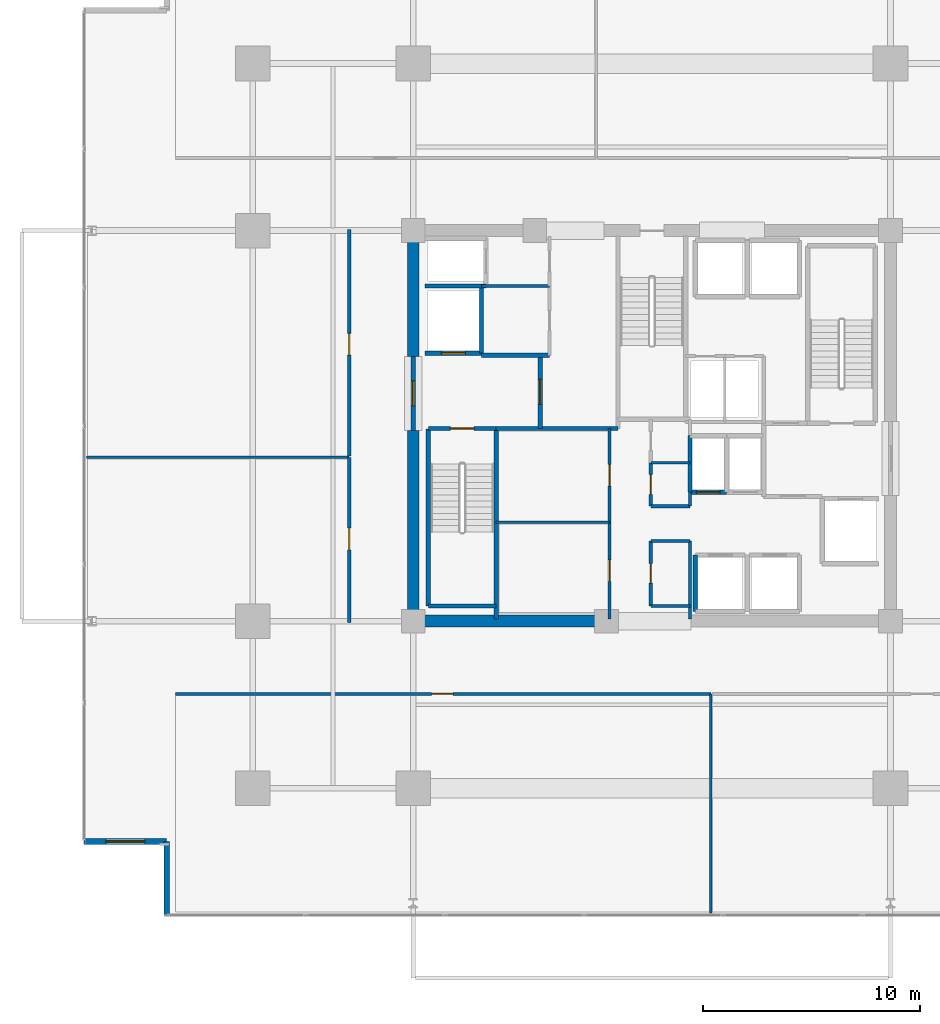
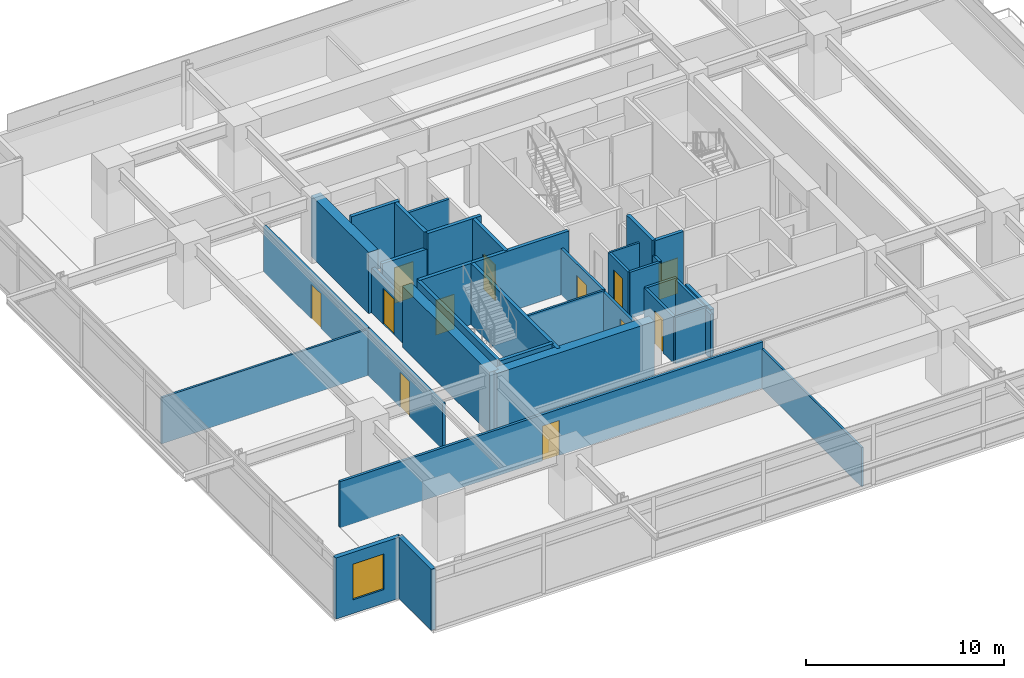
# One storey, part 16 of 24: 36 walls, 12 doors, 1 window, 13 openings.
"""IFC4 building model written with IfcOpenShell, lengths in metres."""

from ifc_helpers import new_model, si_unit, direction, frame, frame_2d, origin, place, context, subcontext, project, spatial, rectangle, extrude, material, layer, layer_set, type_object, element, fill, save


model = new_model("IFC4")

# Units and contexts
model_context = context("Model", 3, precision=1e-05, world=origin(), true_north=direction((0.0, 1.0)))
body_context = subcontext(model_context, "Body", "Model", "MODEL_VIEW")
ifc_project = project(units=[si_unit("LENGTHUNIT", "METRE"), si_unit("AREAUNIT", "SQUARE_METRE"), si_unit("VOLUMEUNIT", "CUBIC_METRE"), si_unit("PLANEANGLEUNIT", "RADIAN"), si_unit("MASSUNIT", "GRAM", prefix="KILO")], contexts=[model_context])

# Site, building, storey
site_placement = place(None, origin())
site = spatial("IfcSite", under=ifc_project, at=site_placement, CompositionType="ELEMENT")
building_placement = place(site_placement, origin())
building = spatial("IfcBuilding", under=site, at=building_placement, Name="Kovane Verandah Tower", CompositionType="ELEMENT")
storey_placement = place(building_placement, frame((0.0, 0.0, 132.39990234375)))
storey = spatial("IfcBuildingStorey", under=building, at=storey_placement, Name="L30", CompositionType="ELEMENT", Elevation=132.39990234375)

# Walls
ifc_material_1 = material(Name="Fire-Rated Gypsum Stud Partition", Category="gypsum")
ifc_layer_1 = layer(ifc_material_1, 0.14990234375)
ifc_layer_set_1 = layer_set([ifc_layer_1], Name="Fire-Rated Gypsum Stud Partition")
wall_type_1 = type_object("IfcWallType", Name="WL-COR-150", PredefinedType="PARTITIONING", material=ifc_layer_set_1)
for number, where, z_axis, x_axis, name in (
    (1, (39.949951171875, 19.199951171875, 0.0), (0.0, 0.0, 1.0), (1.0, 0.0, 0.0), "L30 Central Core Strip South Wall"),
    (2, (39.949951171875, 22.199951171875, 0.0), (0.0, 0.0, 1.0), (1.0, 0.0, 0.0), "L30 Core Cross-Passage South Wall"),
    (3, (39.949951171875, 23.800048828125, 0.0), (0.0, 0.0, 1.0), (1.0, 0.0, 0.0), "L30 Core Cross-Passage North Wall"),
):
    element("IfcWall", number, at=place(storey_placement, frame(where, z_axis=z_axis, x_axis=x_axis)), inside=storey, type_object=wall_type_1, Name=name, PredefinedType="PARTITIONING", context=body_context, shape_type="SweptSolid", body=[
        extrude(rectangle(XDim=1.81005859375, YDim=0.14990234375, at=frame_2d((0.905029296875, 0.0))), origin(), (0.0, 0.0, 1.0), 2.85009765625),
    ])
wall_1_placement = place(storey_placement, frame((41.760009765625, 18.60009765625, 0.0), z_axis=(0.0, 0.0, 1.0), x_axis=(0.0, 1.0, 0.0)))
element("IfcWall", 4, at=wall_1_placement, inside=storey, type_object=wall_type_1, Name="L30 Central Core Strip Lower East Wall", PredefinedType="PARTITIONING", context=body_context, shape_type="SweptSolid", body=[
    extrude(rectangle(XDim=3.599853515625, YDim=0.14990234375, at=frame_2d((1.7998046875, 0.0))), origin(), (0.0, 0.0, 1.0), 2.755126953125),
])
wall_2_placement = place(storey_placement, frame((41.760009765625, 23.800048828125, 0.0), z_axis=(0.0, 0.0, 1.0), x_axis=(0.0, 1.0, 0.0)))
element("IfcWall", 5, at=wall_2_placement, inside=storey, type_object=wall_type_1, Name="L30 Central Core Strip Middle East Wall", PredefinedType="PARTITIONING", context=body_context, shape_type="SweptSolid", body=[
    extrude(rectangle(XDim=0.64990234375, YDim=0.14990234375, at=frame_2d((0.324951171875, 0.0))), origin(), (0.0, 0.0, 1.0), 2.85009765625),
])

# Wall, opening, door
wall_3_placement = place(storey_placement, frame((39.949951171875, 19.199951171875, 0.0), z_axis=(0.0, 0.0, 1.0), x_axis=(0.0, 1.0, 0.0)))
wall_3 = element("IfcWall", 6, at=wall_3_placement, inside=storey, type_object=wall_type_1, Name="L30 Male Toilet Partition", PredefinedType="PARTITIONING", context=body_context, shape_type="SweptSolid", body=[
    extrude(rectangle(XDim=3.0, YDim=0.14990234375, at=frame_2d((1.5, 0.0))), origin(), (0.0, 0.0, 1.0), 2.85009765625),
])
opening_1_placement = place(wall_3_placement, frame((1.050048828125, 0.0, 0.0)))
opening_1 = element("IfcOpeningElement", 7, at=opening_1_placement, cuts=wall_3, Name="Opening DR-L30-024", PredefinedType="OPENING", context=body_context, shape_type="SweptSolid", body=[
    extrude(rectangle(XDim=0.89990234375, YDim=2.10009765625, at=frame_2d((0.449951171875, 1.050048828125))), frame((0.0, 0.074951171875, 0.0), z_axis=(0.0, -1.0, 0.0), x_axis=(1.0, 0.0, 0.0)), (0.0, 0.0, 1.0), 0.14990234375),
])
ifc_material_2 = material(Name="Moisture-Resistant Laminate Washroom Door", Category="wood")
door_type_1 = type_object("IfcDoorType", Name="DR-WC-900", OperationType="SINGLE_SWING_LEFT", PredefinedType="DOOR", material=ifc_material_2)
door_1_placement = place(opening_1_placement, origin())
door_1 = element("IfcDoor", 8, at=door_1_placement, inside=storey, type_object=door_type_1, Name="L30 Male Toilet Door", OperationType="SINGLE_SWING_RIGHT", OverallHeight=2.10009765625, OverallWidth=0.89990234375, PredefinedType="DOOR", context=body_context, shape_type="SweptSolid", body=[
    extrude(rectangle(XDim=0.89990234375, YDim=2.10009765625, at=frame_2d((0.449951171875, 1.050048828125))), frame((0.0, 0.02490234375, 0.0), z_axis=(0.0, -1.0, 0.0), x_axis=(1.0, 0.0, 0.0)), (0.0, 0.0, 1.0), 0.050048828125),
])
fill(opening_1, door_1)

wall_4_placement = place(storey_placement, frame((39.949951171875, 23.800048828125, 0.0), z_axis=(0.0, 0.0, 1.0), x_axis=(0.0, 1.0, 0.0)))
wall_4 = element("IfcWall", 9, at=wall_4_placement, inside=storey, type_object=wall_type_1, Name="L30 Female Toilet Partition", PredefinedType="PARTITIONING", context=body_context, shape_type="SweptSolid", body=[
    extrude(rectangle(XDim=2.0, YDim=0.14990234375, at=frame_2d((1.0, 0.0))), origin(), (0.0, 0.0, 1.0), 2.85009765625),
])
opening_2_placement = place(wall_4_placement, frame((0.550048828125, 0.0, 0.0)))
opening_2 = element("IfcOpeningElement", 10, at=opening_2_placement, cuts=wall_4, Name="Opening DR-L30-023", PredefinedType="OPENING", context=body_context, shape_type="SweptSolid", body=[
    extrude(rectangle(XDim=0.89990234375, YDim=2.10009765625, at=frame_2d((0.449951171875, 1.050048828125))), frame((0.0, 0.074951171875, 0.0), z_axis=(0.0, -1.0, 0.0), x_axis=(1.0, 0.0, 0.0)), (0.0, 0.0, 1.0), 0.14990234375),
])
door_2_placement = place(opening_2_placement, origin())
door_2 = element("IfcDoor", 11, at=door_2_placement, inside=storey, type_object=door_type_1, Name="L30 Female Toilet Door", OperationType="SINGLE_SWING_LEFT", OverallHeight=2.10009765625, OverallWidth=0.89990234375, PredefinedType="DOOR", context=body_context, shape_type="SweptSolid", body=[
    extrude(rectangle(XDim=0.89990234375, YDim=2.10009765625, at=frame_2d((0.449951171875, 1.050048828125))), frame((0.0, 0.02490234375, 0.0), z_axis=(0.0, -1.0, 0.0), x_axis=(1.0, 0.0, 0.0)), (0.0, 0.0, 1.0), 0.050048828125),
])
fill(opening_2, door_2)

# Wall
wall_5_placement = place(storey_placement, frame((32.14990234375, 33.949951171875, 0.0), z_axis=(0.0, 0.0, 1.0), x_axis=(1.0, 0.0, 0.0)))
element("IfcWall", 12, at=wall_5_placement, inside=storey, type_object=wall_type_1, Name="L30 Goods Lift Lobby South Wall", PredefinedType="PARTITIONING", context=body_context, shape_type="SweptSolid", body=[
    extrude(rectangle(XDim=3.130126953125, YDim=0.14990234375, at=frame_2d((1.56494140625, 0.0))), origin(), (0.0, 0.0, 1.0), 2.85009765625),
])

# Wall, opening, door
wall_6_placement = place(storey_placement, frame((38.050048828125, 18.60009765625, 0.0), z_axis=(0.0, 0.0, 1.0), x_axis=(0.0, 1.0, 0.0)))
wall_6 = element("IfcWall", 13, at=wall_6_placement, inside=storey, type_object=wall_type_1, Name="L30 IT Server Room Partition", PredefinedType="PARTITIONING", context=body_context, shape_type="SweptSolid", body=[
    extrude(rectangle(XDim=4.4599609375, YDim=0.14990234375, at=frame_2d((2.22998046875, 0.0))), origin(), (0.0, 0.0, 1.0), 2.755126953125),
])
opening_3_placement = place(wall_6_placement, frame((1.72998046875, 0.0, 0.0)))
opening_3 = element("IfcOpeningElement", 14, at=opening_3_placement, cuts=wall_6, Name="Opening DR-L30-013", PredefinedType="OPENING", context=body_context, shape_type="SweptSolid", body=[
    extrude(rectangle(XDim=1.0, YDim=2.14990234375, at=frame_2d((0.5, 1.074951171875))), frame((0.0, 0.074951171875, 0.0), z_axis=(0.0, -1.0, 0.0), x_axis=(1.0, 0.0, 0.0)), (0.0, 0.0, 1.0), 0.14990234375),
])
ifc_material_3 = material(Name="FSC Spotted-Gum Timber Fire-Rated Office Door", Category="wood")
door_type_2 = type_object("IfcDoorType", Name="DR-OFF-1000", OperationType="SINGLE_SWING_LEFT", PredefinedType="DOOR", material=ifc_material_3)
door_3_placement = place(opening_3_placement, origin())
door_3 = element("IfcDoor", 15, at=door_3_placement, inside=storey, type_object=door_type_2, Name="L30 IT Server Room Door", OperationType="SINGLE_SWING_LEFT", OverallHeight=2.14990234375, OverallWidth=1.0, PredefinedType="DOOR", context=body_context, shape_type="SweptSolid", body=[
    extrude(rectangle(XDim=1.0, YDim=2.14990234375, at=frame_2d((0.5, 1.074951171875))), frame((0.0, 0.02490234375, 0.0), z_axis=(0.0, -1.0, 0.0), x_axis=(1.0, 0.0, 0.0)), (0.0, 0.0, 1.0), 0.050048828125),
])
fill(opening_3, door_3)

wall_7_placement = place(storey_placement, frame((38.050048828125, 23.06005859375, 0.0), z_axis=(0.0, 0.0, 1.0), x_axis=(0.0, 1.0, 0.0)))
wall_7 = element("IfcWall", 16, at=wall_7_placement, inside=storey, type_object=wall_type_1, Name="L30 Telecom MDF Room Partition", PredefinedType="PARTITIONING", context=body_context, shape_type="SweptSolid", body=[
    extrude(rectangle(XDim=4.31982421875, YDim=0.14990234375, at=frame_2d((2.159912109375, 0.0))), origin(), (0.0, 0.0, 1.0), 2.85009765625),
])
opening_4_placement = place(wall_7_placement, frame((1.659912109375, 0.0, 0.0)))
opening_4 = element("IfcOpeningElement", 17, at=opening_4_placement, cuts=wall_7, Name="Opening DR-L30-014", PredefinedType="OPENING", context=body_context, shape_type="SweptSolid", body=[
    extrude(rectangle(XDim=1.0, YDim=2.14990234375, at=frame_2d((0.5, 1.074951171875))), frame((0.0, 0.074951171875, 0.0), z_axis=(0.0, -1.0, 0.0), x_axis=(1.0, 0.0, 0.0)), (0.0, 0.0, 1.0), 0.14990234375),
])
door_4_placement = place(opening_4_placement, origin())
door_4 = element("IfcDoor", 18, at=door_4_placement, inside=storey, type_object=door_type_2, Name="L30 Telecom MDF Room Door", OperationType="SINGLE_SWING_RIGHT", OverallHeight=2.14990234375, OverallWidth=1.0, PredefinedType="DOOR", context=body_context, shape_type="SweptSolid", body=[
    extrude(rectangle(XDim=1.0, YDim=2.14990234375, at=frame_2d((0.5, 1.074951171875))), frame((0.0, 0.02490234375, 0.0), z_axis=(0.0, -1.0, 0.0), x_axis=(1.0, 0.0, 0.0)), (0.0, 0.0, 1.0), 0.050048828125),
])
fill(opening_4, door_4)

wall_8_placement = place(storey_placement, frame((18.03759765625, 15.14990234375, 0.0), z_axis=(0.0, 0.0, 1.0), x_axis=(1.0, 0.0, 0.0)))
wall_8 = element("IfcWall", 19, at=wall_8_placement, inside=storey, type_object=wall_type_1, Name="L30 Meeting Room S1 Corridor Partition", PredefinedType="PARTITIONING", context=body_context, shape_type="SweptSolid", body=[
    extrude(rectangle(XDim=24.682861328125, YDim=0.14990234375, at=frame_2d((12.34130859375, 0.0))), origin(), (0.0, 0.0, 1.0), 2.85009765625),
])
opening_5_placement = place(wall_8_placement, frame((11.806396484375, 0.0, 0.0)))
opening_5 = element("IfcOpeningElement", 20, at=opening_5_placement, cuts=wall_8, Name="Opening DR-L30-019", PredefinedType="OPENING", context=body_context, shape_type="SweptSolid", body=[
    extrude(rectangle(XDim=1.0, YDim=2.14990234375, at=frame_2d((0.5, 1.074951171875))), frame((0.0, 0.074951171875, 0.0), z_axis=(0.0, -1.0, 0.0), x_axis=(1.0, 0.0, 0.0)), (0.0, 0.0, 1.0), 0.14990234375),
])
door_5_placement = place(opening_5_placement, origin())
door_5 = element("IfcDoor", 21, at=door_5_placement, inside=storey, type_object=door_type_2, Name="L30 Meeting Room S1 Entrance Door", OperationType="SINGLE_SWING_LEFT", OverallHeight=2.14990234375, OverallWidth=1.0, PredefinedType="DOOR", context=body_context, shape_type="SweptSolid", body=[
    extrude(rectangle(XDim=1.0, YDim=2.14990234375, at=frame_2d((0.5, 1.074951171875))), frame((0.0, 0.02490234375, 0.0), z_axis=(0.0, -1.0, 0.0), x_axis=(1.0, 0.0, 0.0)), (0.0, 0.0, 1.0), 0.050048828125),
])
fill(opening_5, door_5)

wall_9_placement = place(storey_placement, frame((26.050048828125, 18.449951171875, 0.0), z_axis=(0.0, 0.0, 1.0), x_axis=(0.0, 1.0, 0.0)))
wall_9 = element("IfcWall", 22, at=wall_9_placement, inside=storey, type_object=wall_type_1, Name="L30 Breakout Pantry W1 Corridor Partition", PredefinedType="PARTITIONING", context=body_context, shape_type="SweptSolid", body=[
    extrude(rectangle(XDim=7.60205078125, YDim=0.14990234375, at=frame_2d((3.801025390625, 0.0))), origin(), (0.0, 0.0, 1.0), 2.85009765625),
])
opening_6_placement = place(wall_9_placement, frame((3.341064453125, 0.0, 0.0)))
opening_6 = element("IfcOpeningElement", 23, at=opening_6_placement, cuts=wall_9, Name="Opening DR-L30-025", PredefinedType="OPENING", context=body_context, shape_type="SweptSolid", body=[
    extrude(rectangle(XDim=1.0, YDim=2.14990234375, at=frame_2d((0.5, 1.074951171875))), frame((0.0, 0.074951171875, 0.0), z_axis=(0.0, -1.0, 0.0), x_axis=(1.0, 0.0, 0.0)), (0.0, 0.0, 1.0), 0.14990234375),
])
door_6_placement = place(opening_6_placement, origin())
door_6 = element("IfcDoor", 24, at=door_6_placement, inside=storey, type_object=door_type_2, Name="L30 Breakout Pantry W1 Entrance Door", OperationType="SINGLE_SWING_LEFT", OverallHeight=2.14990234375, OverallWidth=1.0, PredefinedType="DOOR", context=body_context, shape_type="SweptSolid", body=[
    extrude(rectangle(XDim=1.0, YDim=2.14990234375, at=frame_2d((0.5, 1.074951171875))), frame((0.0, 0.02490234375, 0.0), z_axis=(0.0, -1.0, 0.0), x_axis=(1.0, 0.0, 0.0)), (0.0, 0.0, 1.0), 0.050048828125),
])
fill(opening_6, door_6)

wall_10_placement = place(storey_placement, frame((26.050048828125, 26.1220703125, 0.0), z_axis=(0.0, 0.0, 1.0), x_axis=(0.0, 1.0, 0.0)))
wall_10 = element("IfcWall", 25, at=wall_10_placement, inside=storey, type_object=wall_type_1, Name="L30 Collaboration Hub W2 Corridor Partition", PredefinedType="PARTITIONING", context=body_context, shape_type="SweptSolid", body=[
    extrude(rectangle(XDim=10.427978515625, YDim=0.14990234375, at=frame_2d((5.2138671875, 0.0))), origin(), (0.0, 0.0, 1.0), 2.85009765625),
])
opening_7_placement = place(wall_10_placement, frame((4.638916015625, 0.0, 0.0)))
opening_7 = element("IfcOpeningElement", 26, at=opening_7_placement, cuts=wall_10, Name="Opening DR-L30-026", PredefinedType="OPENING", context=body_context, shape_type="SweptSolid", body=[
    extrude(rectangle(XDim=1.0, YDim=2.14990234375, at=frame_2d((0.5, 1.074951171875))), frame((0.0, 0.074951171875, 0.0), z_axis=(0.0, -1.0, 0.0), x_axis=(1.0, 0.0, 0.0)), (0.0, 0.0, 1.0), 0.14990234375),
])
door_7_placement = place(opening_7_placement, origin())
door_7 = element("IfcDoor", 27, at=door_7_placement, inside=storey, type_object=door_type_2, Name="L30 Collaboration Hub W2 Entrance Door", OperationType="SINGLE_SWING_RIGHT", OverallHeight=2.14990234375, OverallWidth=1.0, PredefinedType="DOOR", context=body_context, shape_type="SweptSolid", body=[
    extrude(rectangle(XDim=1.0, YDim=2.14990234375, at=frame_2d((0.5, 1.074951171875))), frame((0.0, 0.02490234375, 0.0), z_axis=(0.0, -1.0, 0.0), x_axis=(1.0, 0.0, 0.0)), (0.0, 0.0, 1.0), 0.050048828125),
])
fill(opening_7, door_7)

# Walls
ifc_material_4 = material(Name="Concrete C60/75", Category="concrete")
ifc_layer_2 = layer(ifc_material_4, 0.550048828125)
ifc_layer_set_2 = layer_set([ifc_layer_2], Name="Concrete C60/75")
wall_type_2 = type_object("IfcWallType", Name="WL-CORE-550", PredefinedType="SHEAR", material=ifc_layer_set_2)
wall_11_placement = place(storey_placement, frame((29.0, 18.5, 0.0), z_axis=(0.0, 0.0, 1.0), x_axis=(1.0, 0.0, 0.0)))
element("IfcWall", 28, at=wall_11_placement, inside=storey, type_object=wall_type_2, Name="L30 Core Shear Wall CS-1", PredefinedType="SHEAR", context=body_context, shape_type="SweptSolid", body=[
    extrude(rectangle(XDim=9.199951171875, YDim=0.550048828125, at=frame_2d((4.60009765625, 0.0))), origin(), (0.0, 0.0, 1.0), 3.775146484375),
])
wall_12_placement = place(storey_placement, frame((29.0, 18.5, 0.0), z_axis=(0.0, 0.0, 1.0), x_axis=(0.0, 1.0, 0.0)))
element("IfcWall", 29, at=wall_12_placement, inside=storey, type_object=wall_type_2, Name="L30 Core Shear Wall CW-1", PredefinedType="SHEAR", context=body_context, shape_type="SweptSolid", body=[
    extrude(rectangle(XDim=8.800048828125, YDim=0.550048828125, at=frame_2d((4.39990234375, 0.0))), origin(), (0.0, 0.0, 1.0), 3.775146484375),
])
wall_13_placement = place(storey_placement, frame((29.0, 30.699951171875, 0.0), z_axis=(0.0, 0.0, 1.0), x_axis=(0.0, 1.0, 0.0)))
element("IfcWall", 30, at=wall_13_placement, inside=storey, type_object=wall_type_2, Name="L30 Core Shear Wall CW-2", PredefinedType="SHEAR", context=body_context, shape_type="SweptSolid", body=[
    extrude(rectangle(XDim=5.800048828125, YDim=0.550048828125, at=frame_2d((2.89990234375, 0.0))), origin(), (0.0, 0.0, 1.0), 3.775146484375),
])

# Wall, opening, door
ifc_material_5 = material(Name="Concrete C45/55 Fire Wall", Category="concrete")
ifc_layer_3 = layer(ifc_material_5, 0.199951171875)
ifc_layer_set_3 = layer_set([ifc_layer_3], Name="Concrete C45/55 Fire Wall")
wall_type_3 = type_object("IfcWallType", Name="WL-FFL-200", PredefinedType="PARTITIONING", material=ifc_layer_set_3)
wall_14_placement = place(storey_placement, frame((34.85009765625, 27.3798828125, 0.0), z_axis=(0.0, 0.0, 1.0), x_axis=(0.0, 1.0, 0.0)))
wall_14 = element("IfcWall", 31, at=wall_14_placement, inside=storey, type_object=wall_type_3, Name="W-L30-FFLW-E", PredefinedType="PARTITIONING", context=body_context, shape_type="SweptSolid", body=[
    extrude(rectangle(XDim=3.3701171875, YDim=0.199951171875, at=frame_2d((1.68505859375, 0.0))), origin(), (0.0, 0.0, 1.0), 3.775146484375),
])
opening_8_placement = place(wall_14_placement, frame((1.110107421875, 0.0, 0.0)))
opening_8 = element("IfcOpeningElement", 32, at=opening_8_placement, cuts=wall_14, Name="Opening DR-L30-006", PredefinedType="OPENING", context=body_context, shape_type="SweptSolid", body=[
    extrude(rectangle(XDim=1.14990234375, YDim=2.199951171875, at=frame_2d((0.574951171875, 1.10009765625))), frame((0.0, 0.10009765625, 0.0), z_axis=(0.0, -1.0, 0.0), x_axis=(1.0, 0.0, 0.0)), (0.0, 0.0, 1.0), 0.199951171875),
])
ifc_material_6 = material(Name="Smoke-Sealed Firefighting Lobby Door", Category="steel")
door_type_3 = type_object("IfcDoorType", Name="DR-FFL-1150", OperationType="SINGLE_SWING_LEFT", PredefinedType="DOOR", material=ifc_material_6)
door_8_placement = place(opening_8_placement, origin())
door_8 = element("IfcDoor", 33, at=door_8_placement, inside=storey, type_object=door_type_3, Name="L30 West Firefighting Lobby Inner Door", OperationType="SINGLE_SWING_LEFT", OverallHeight=2.199951171875, OverallWidth=1.14990234375, PredefinedType="DOOR", context=body_context, shape_type="SweptSolid", body=[
    extrude(rectangle(XDim=1.14990234375, YDim=2.199951171875, at=frame_2d((0.574951171875, 1.10009765625))), frame((0.0, 0.02490234375, 0.0), z_axis=(0.0, -1.0, 0.0), x_axis=(1.0, 0.0, 0.0)), (0.0, 0.0, 1.0), 0.050048828125),
])
fill(opening_8, door_8)

wall_15_placement = place(storey_placement, frame((29.0, 27.300048828125, 0.0), z_axis=(0.0, 0.0, 1.0), x_axis=(0.0, 1.0, 0.0)))
wall_15 = element("IfcWall", 34, at=wall_15_placement, inside=storey, type_object=wall_type_3, Name="W-L30-FFLW-OUT", PredefinedType="PARTITIONING", context=body_context, shape_type="SweptSolid", body=[
    extrude(rectangle(XDim=3.39990234375, YDim=0.199951171875, at=frame_2d((1.699951171875, 0.0))), origin(), (0.0, 0.0, 1.0), 2.755126953125),
])
opening_9_placement = place(wall_15_placement, frame((1.125, 0.0, 0.0)))
opening_9 = element("IfcOpeningElement", 35, at=opening_9_placement, cuts=wall_15, Name="Opening DR-L30-007", PredefinedType="OPENING", context=body_context, shape_type="SweptSolid", body=[
    extrude(rectangle(XDim=1.14990234375, YDim=2.199951171875, at=frame_2d((0.574951171875, 1.10009765625))), frame((0.0, 0.10009765625, 0.0), z_axis=(0.0, -1.0, 0.0), x_axis=(1.0, 0.0, 0.0)), (0.0, 0.0, 1.0), 0.199951171875),
])
door_9_placement = place(opening_9_placement, origin())
door_9 = element("IfcDoor", 36, at=door_9_placement, inside=storey, type_object=door_type_3, Name="L30 West Firefighting Lobby Corridor Door", OperationType="SINGLE_SWING_RIGHT", OverallHeight=2.199951171875, OverallWidth=1.14990234375, PredefinedType="DOOR", context=body_context, shape_type="SweptSolid", body=[
    extrude(rectangle(XDim=1.14990234375, YDim=2.199951171875, at=frame_2d((0.574951171875, 1.10009765625))), frame((0.0, 0.02490234375, 0.0), z_axis=(0.0, -1.0, 0.0), x_axis=(1.0, 0.0, 0.0)), (0.0, 0.0, 1.0), 0.050048828125),
])
fill(opening_9, door_9)

# Walls
wall_16_placement = place(storey_placement, frame((32.820068359375, 27.3798828125, 0.0), z_axis=(0.0, 0.0, 1.0), x_axis=(1.0, 0.0, 0.0)))
element("IfcWall", 37, at=wall_16_placement, inside=storey, type_object=wall_type_3, Name="L30 West Firefighting Lobby South Fire Wall", PredefinedType="PARTITIONING", context=body_context, shape_type="SweptSolid", body=[
    extrude(rectangle(XDim=5.619873046875, YDim=0.199951171875, at=frame_2d((2.81005859375, 0.0))), origin(), (0.0, 0.0, 1.0), 3.775146484375),
])
wall_17_placement = place(storey_placement, frame((32.14990234375, 30.75, 0.0), z_axis=(0.0, 0.0, 1.0), x_axis=(1.0, 0.0, 0.0)))
element("IfcWall", 38, at=wall_17_placement, inside=storey, type_object=wall_type_3, Name="L30 West Firefighting Lobby North Fire Wall", PredefinedType="PARTITIONING", context=body_context, shape_type="SweptSolid", body=[
    extrude(rectangle(XDim=3.130126953125, YDim=0.199951171875, at=frame_2d((1.56494140625, 0.0))), origin(), (0.0, 0.0, 1.0), 3.775146484375),
])

# Wall, opening, door
ifc_material_7 = material(Name="Concrete C45/55 Lift Shaft Wall", Category="concrete")
ifc_layer_4 = layer(ifc_material_7, 0.199951171875)
ifc_layer_set_4 = layer_set([ifc_layer_4], Name="Concrete C45/55 Lift Shaft Wall")
wall_type_4 = type_object("IfcWallType", Name="WL-LIFT-200", PredefinedType="SOLIDWALL", material=ifc_layer_set_4)
wall_18_placement = place(storey_placement, frame((29.550048828125, 30.85009765625, 0.0), z_axis=(0.0, 0.0, 1.0), x_axis=(1.0, 0.0, 0.0)))
wall_18 = element("IfcWall", 39, at=wall_18_placement, inside=storey, type_object=wall_type_4, Name="L30 Lift FL-01 S Shaft Wall", PredefinedType="SOLIDWALL", context=body_context, shape_type="SweptSolid", body=[
    extrude(rectangle(XDim=2.599853515625, YDim=0.199951171875, at=frame_2d((1.2998046875, 0.0))), origin(), (0.0, 0.0, 1.0), 2.755126953125),
])
opening_10_placement = place(wall_18_placement, frame((0.75, 0.0, 0.0)))
opening_10 = element("IfcOpeningElement", 40, at=opening_10_placement, cuts=wall_18, Name="Opening LD-L30-001", PredefinedType="OPENING", context=body_context, shape_type="SweptSolid", body=[
    extrude(rectangle(XDim=1.10009765625, YDim=2.199951171875, at=frame_2d((0.550048828125, 1.10009765625))), frame((0.0, 0.10009765625, 0.0), z_axis=(0.0, -1.0, 0.0), x_axis=(1.0, 0.0, 0.0)), (0.0, 0.0, 1.0), 0.199951171875),
])
ifc_material_8 = material(Name="Brushed Stainless Steel Sliding Lift Landing Door", Category="steel")
door_type_4 = type_object("IfcDoorType", Name="DR-LIFT-1100", OperationType="SLIDING_TO_RIGHT", PredefinedType="DOOR", material=ifc_material_8)
door_10_placement = place(opening_10_placement, origin())
door_10 = element("IfcDoor", 41, at=door_10_placement, inside=storey, type_object=door_type_4, Name="L30 Lift FL-01 Sliding Landing Door", OperationType="SLIDING_TO_RIGHT", OverallHeight=2.199951171875, OverallWidth=1.10009765625, PredefinedType="DOOR", context=body_context, shape_type="SweptSolid", body=[
    extrude(rectangle(XDim=1.10009765625, YDim=2.199951171875, at=frame_2d((0.550048828125, 1.10009765625))), frame((0.0, 0.02490234375, 0.0), z_axis=(0.0, -1.0, 0.0), x_axis=(1.0, 0.0, 0.0)), (0.0, 0.0, 1.0), 0.050048828125),
])
fill(opening_10, door_10)

# Walls
wall_19_placement = place(storey_placement, frame((29.550048828125, 33.949951171875, 0.0), z_axis=(0.0, 0.0, 1.0), x_axis=(1.0, 0.0, 0.0)))
element("IfcWall", 42, at=wall_19_placement, inside=storey, type_object=wall_type_4, Name="L30 Lift FL-01 and GL-01 Shared Shaft Wall", PredefinedType="SOLIDWALL", context=body_context, shape_type="SweptSolid", body=[
    extrude(rectangle(XDim=2.800048828125, YDim=0.199951171875, at=frame_2d((1.39990234375, 0.0))), origin(), (0.0, 0.0, 1.0), 3.775146484375),
])
wall_20_placement = place(storey_placement, frame((32.14990234375, 30.85009765625, 0.0), z_axis=(0.0, 0.0, 1.0), x_axis=(0.0, 1.0, 0.0)))
element("IfcWall", 43, at=wall_20_placement, inside=storey, type_object=wall_type_4, Name="L30 Lift FL-01 E Shaft Wall", PredefinedType="SOLIDWALL", context=body_context, shape_type="SweptSolid", body=[
    extrude(rectangle(XDim=3.0, YDim=0.199951171875, at=frame_2d((1.5, 0.0))), origin(), (0.0, 0.0, 1.0), 3.775146484375),
])
wall_21_placement = place(storey_placement, frame((42.0, 21.550048828125, 0.0), z_axis=(0.0, 0.0, 1.0), x_axis=(0.0, -1.0, 0.0)))
element("IfcWall", 44, at=wall_21_placement, inside=storey, type_object=wall_type_4, Name="L30 Lift PL-M1 W Shaft Wall", PredefinedType="SOLIDWALL", context=body_context, shape_type="SweptSolid", body=[
    extrude(rectangle(XDim=2.60009765625, YDim=0.199951171875, at=frame_2d((1.300048828125, 0.0))), origin(), (0.0, 0.0, 1.0), 2.755126953125),
])

# Wall, opening, door
wall_22_placement = place(storey_placement, frame((41.760009765625, 24.449951171875, 0.0), z_axis=(0.0, 0.0, 1.0), x_axis=(1.0, 0.0, 0.0)))
wall_22 = element("IfcWall", 45, at=wall_22_placement, inside=storey, type_object=wall_type_4, Name="L30 Lift PL-M3 S Shaft Wall", PredefinedType="SOLIDWALL", context=body_context, shape_type="SweptSolid", body=[
    extrude(rectangle(XDim=1.679931640625, YDim=0.199951171875, at=frame_2d((0.83984375, 0.0))), origin(), (0.0, 0.0, 1.0), 3.775146484375),
])
opening_11_placement = place(wall_22_placement, frame((0.2900390625, 0.0, 0.0)))
opening_11 = element("IfcOpeningElement", 46, at=opening_11_placement, cuts=wall_22, Name="Opening LD-L30-006", PredefinedType="OPENING", context=body_context, shape_type="SweptSolid", body=[
    extrude(rectangle(XDim=1.10009765625, YDim=2.199951171875, at=frame_2d((0.550048828125, 1.10009765625))), frame((0.0, 0.10009765625, 0.0), z_axis=(0.0, -1.0, 0.0), x_axis=(1.0, 0.0, 0.0)), (0.0, 0.0, 1.0), 0.199951171875),
])
door_11_placement = place(opening_11_placement, origin())
door_11 = element("IfcDoor", 47, at=door_11_placement, inside=storey, type_object=door_type_4, Name="L30 Lift PL-M3 Sliding Landing Door", OperationType="SLIDING_TO_RIGHT", OverallHeight=2.199951171875, OverallWidth=1.10009765625, PredefinedType="DOOR", context=body_context, shape_type="SweptSolid", body=[
    extrude(rectangle(XDim=1.10009765625, YDim=2.199951171875, at=frame_2d((0.550048828125, 1.10009765625))), frame((0.0, 0.02490234375, 0.0), z_axis=(0.0, -1.0, 0.0), x_axis=(1.0, 0.0, 0.0)), (0.0, 0.0, 1.0), 0.050048828125),
])
fill(opening_11, door_11)

# Walls
wall_23_placement = place(storey_placement, frame((41.760009765625, 27.050048828125, 0.0), z_axis=(0.0, 0.0, 1.0), x_axis=(0.0, -1.0, 0.0)))
element("IfcWall", 48, at=wall_23_placement, inside=storey, type_object=wall_type_4, Name="L30 Lift PL-M3 W Shaft Wall", PredefinedType="SOLIDWALL", context=body_context, shape_type="SweptSolid", body=[
    extrude(rectangle(XDim=2.60009765625, YDim=0.199951171875, at=frame_2d((1.300048828125, 0.0))), origin(), (0.0, 0.0, 1.0), 3.775146484375),
])
ifc_material_9 = material(Name="Acoustic Fire-Rated Gypsum Partition", Category="gypsum")
ifc_layer_5 = layer(ifc_material_9, 0.1201171875)
ifc_layer_set_5 = layer_set([ifc_layer_5], Name="Acoustic Fire-Rated Gypsum Partition")
wall_type_5 = type_object("IfcWallType", Name="WL-PART-120", PredefinedType="PARTITIONING", material=ifc_layer_set_5)
wall_24_placement = place(storey_placement, frame((39.949951171875, 25.800048828125, 0.0), z_axis=(0.0, 0.0, 1.0), x_axis=(1.0, 0.0, 0.0)))
element("IfcWall", 49, at=wall_24_placement, inside=storey, type_object=wall_type_5, Name="L30 Central Core Strip Upper Dividing Partition", PredefinedType="PARTITIONING", context=body_context, shape_type="SweptSolid", body=[
    extrude(rectangle(XDim=1.81005859375, YDim=0.1201171875, at=frame_2d((0.905029296875, 0.0))), origin(), (0.0, 0.0, 1.0), 2.85009765625),
])
wall_25_placement = place(storey_placement, frame((32.820068359375, 23.06005859375, 0.0), z_axis=(0.0, 0.0, 1.0), x_axis=(1.0, 0.0, 0.0)))
element("IfcWall", 50, at=wall_25_placement, inside=storey, type_object=wall_type_5, Name="L30 Core Support Dividing Partition", PredefinedType="PARTITIONING", context=body_context, shape_type="SweptSolid", body=[
    extrude(rectangle(XDim=5.22998046875, YDim=0.1201171875, at=frame_2d((2.614990234375, 0.0))), origin(), (0.0, 0.0, 1.0), 2.85009765625),
])
wall_26_placement = place(storey_placement, frame((42.720458984375, 5.04638671875, 0.0), z_axis=(0.0, 0.0, 1.0), x_axis=(0.0, 1.0, 0.0)))
element("IfcWall", 51, at=wall_26_placement, inside=storey, type_object=wall_type_5, Name="L30 Meeting Room S1 Dividing Partition", PredefinedType="PARTITIONING", context=body_context, shape_type="SweptSolid", body=[
    extrude(rectangle(XDim=10.103515625, YDim=0.1201171875, at=frame_2d((5.0517578125, 0.0))), origin(), (0.0, 0.0, 1.0), 2.405029296875),
])
wall_27_placement = place(storey_placement, frame((13.9375, 26.052001953125, 0.0), z_axis=(0.0, 0.0, 1.0), x_axis=(1.0, 0.0, 0.0)))
element("IfcWall", 52, at=wall_27_placement, inside=storey, type_object=wall_type_5, Name="L30 Breakout Pantry W1 Dividing Partition", PredefinedType="PARTITIONING", context=body_context, shape_type="SweptSolid", body=[
    extrude(rectangle(XDim=12.112548828125, YDim=0.1201171875, at=frame_2d((6.05615234375, 0.0))), origin(), (0.0, 0.0, 1.0), 2.85009765625),
])
ifc_material_10 = material(Name="Concrete C45/55", Category="concrete")
ifc_layer_6 = layer(ifc_material_10, 0.199951171875)
ifc_layer_set_6 = layer_set([ifc_layer_6], Name="Concrete C45/55")
wall_type_6 = type_object("IfcWallType", Name="WL-SHAFT-200", PredefinedType="SOLIDWALL", material=ifc_layer_set_6)
wall_28_placement = place(storey_placement, frame((29.699951171875, 19.199951171875, 0.0), z_axis=(0.0, 0.0, 1.0), x_axis=(0.0, 1.0, 0.0)))
element("IfcWall", 53, at=wall_28_placement, inside=storey, type_object=wall_type_6, Name="W-L30-ST01-W", PredefinedType="SOLIDWALL", context=body_context, shape_type="SweptSolid", body=[
    extrude(rectangle(XDim=8.150146484375, YDim=0.199951171875, at=frame_2d((4.0751953125, 0.0))), origin(), (0.0, 0.0, 1.0), 3.775146484375),
])
wall_29_placement = place(storey_placement, frame((29.699951171875, 19.199951171875, 0.0), z_axis=(0.0, 0.0, 1.0), x_axis=(1.0, 0.0, 0.0)))
element("IfcWall", 54, at=wall_29_placement, inside=storey, type_object=wall_type_6, Name="W-L30-ST01-S", PredefinedType="SOLIDWALL", context=body_context, shape_type="SweptSolid", body=[
    extrude(rectangle(XDim=3.1201171875, YDim=0.199951171875, at=frame_2d((1.56005859375, 0.0))), origin(), (0.0, 0.0, 1.0), 3.775146484375),
])
wall_30_placement = place(storey_placement, frame((32.820068359375, 18.60009765625, 0.0), z_axis=(0.0, 0.0, 1.0), x_axis=(0.0, 1.0, 0.0)))
element("IfcWall", 55, at=wall_30_placement, inside=storey, type_object=wall_type_6, Name="W-L30-ST01-E", PredefinedType="SOLIDWALL", context=body_context, shape_type="SweptSolid", body=[
    extrude(rectangle(XDim=8.77978515625, YDim=0.199951171875, at=frame_2d((4.389892578125, 0.0))), origin(), (0.0, 0.0, 1.0), 3.775146484375),
])

# Wall, opening, door
wall_31_placement = place(storey_placement, frame((29.699951171875, 27.3798828125, 0.0), z_axis=(0.0, 0.0, 1.0), x_axis=(1.0, 0.0, 0.0)))
wall_31 = element("IfcWall", 56, at=wall_31_placement, inside=storey, type_object=wall_type_6, Name="W-L30-ST01-N", PredefinedType="SOLIDWALL", context=body_context, shape_type="SweptSolid", body=[
    extrude(rectangle(XDim=3.1201171875, YDim=0.199951171875, at=frame_2d((1.56005859375, 0.0))), origin(), (0.0, 0.0, 1.0), 3.775146484375),
])
opening_12_placement = place(wall_31_placement, frame((1.010009765625, 0.0, 0.0)))
opening_12 = element("IfcOpeningElement", 57, at=opening_12_placement, cuts=wall_31, Name="Opening DR-L30-009", PredefinedType="OPENING", context=body_context, shape_type="SweptSolid", body=[
    extrude(rectangle(XDim=1.10009765625, YDim=2.14990234375, at=frame_2d((0.550048828125, 1.074951171875))), frame((0.0, 0.10009765625, 0.0), z_axis=(0.0, -1.0, 0.0), x_axis=(1.0, 0.0, 0.0)), (0.0, 0.0, 1.0), 0.199951171875),
])
ifc_material_11 = material(Name="Fire-Rated Steel Exit Door", Category="steel")
door_type_5 = type_object("IfcDoorType", Name="DR-STAIR-1100", OperationType="SINGLE_SWING_LEFT", PredefinedType="DOOR", material=ifc_material_11)
door_12_placement = place(opening_12_placement, origin())
door_12 = element("IfcDoor", 58, at=door_12_placement, inside=storey, type_object=door_type_5, Name="L30 ST-01 Fire Exit Stair Door", OperationType="SINGLE_SWING_LEFT", OverallHeight=2.14990234375, OverallWidth=1.10009765625, PredefinedType="DOOR", context=body_context, shape_type="SweptSolid", body=[
    extrude(rectangle(XDim=1.10009765625, YDim=2.14990234375, at=frame_2d((0.550048828125, 1.074951171875))), frame((0.0, 0.02490234375, 0.0), z_axis=(0.0, -1.0, 0.0), x_axis=(1.0, 0.0, 0.0)), (0.0, 0.0, 1.0), 0.050048828125),
])
fill(opening_12, door_12)

# Wall, opening, window
ifc_material_12 = material(Name="Concrete C45/55 Insulated Spandrel Wall", Category="concrete")
ifc_layer_7 = layer(ifc_material_12, 0.260009765625)
ifc_layer_set_7 = layer_set([ifc_layer_7], Name="Concrete C45/55 Insulated Spandrel Wall")
wall_type_7 = type_object("IfcWallType", Name="WL-SPANDREL-260", PredefinedType="PARAPET", material=ifc_layer_set_7)
wall_32_placement = place(storey_placement, frame((13.837646484375, 8.34619140625, 0.0), z_axis=(0.0, 0.0, 1.0), x_axis=(1.0, 0.0, 0.0)))
wall_32 = element("IfcWall", 59, at=wall_32_placement, inside=storey, type_object=wall_type_7, Name="L30 SW Notch Cheek Wall 1", PredefinedType="PARAPET", context=body_context, shape_type="SweptSolid", body=[
    extrude(rectangle(XDim=3.800048828125, YDim=0.260009765625, at=frame_2d((1.89990234375, 0.0))), origin(), (0.0, 0.0, 1.0), 3.775146484375),
])
opening_13_placement = place(wall_32_placement, frame((1.0, 0.0, 0.85009765625)))
opening_13 = element("IfcOpeningElement", 60, at=opening_13_placement, cuts=wall_32, Name="Opening W-03", PredefinedType="OPENING", context=body_context, shape_type="SweptSolid", body=[
    extrude(rectangle(XDim=1.800048828125, YDim=2.199951171875, at=frame_2d((0.89990234375, 1.10009765625))), frame((0.0, 0.1298828125, 0.0), z_axis=(0.0, -1.0, 0.0), x_axis=(1.0, 0.0, 0.0)), (0.0, 0.0, 1.0), 0.260009765625),
])
ifc_material_13 = material(Name="Clear Low-E Laminated Double Glazing in Anodised Frame", Category="glass")
window_type = type_object("IfcWindowType", Name="WN-NOTCH-1800x2200", PartitioningType="SINGLE_PANEL", PredefinedType="WINDOW", material=ifc_material_13)
window_placement = place(opening_13_placement, origin())
window = element("IfcWindow", 61, at=window_placement, inside=storey, type_object=window_type, Name="L30 SW Re-Entrant Corner Operable Window", OverallHeight=2.199951171875, OverallWidth=1.800048828125, PartitioningType="SINGLE_PANEL", PredefinedType="WINDOW", context=body_context, shape_type="SweptSolid", body=[
    extrude(rectangle(XDim=1.800048828125, YDim=2.199951171875, at=frame_2d((0.89990234375, 1.10009765625))), frame((0.0, 0.030029296875, 0.0), z_axis=(0.0, -1.0, 0.0), x_axis=(1.0, 0.0, 0.0)), (0.0, 0.0, 1.0), 0.06005859375),
])
fill(opening_13, window)

# Wall
wall_33_placement = place(storey_placement, frame((17.6376953125, 8.34619140625, 0.0), z_axis=(0.0, 0.0, 1.0), x_axis=(0.0, -1.0, 0.0)))
element("IfcWall", 62, at=wall_33_placement, inside=storey, type_object=wall_type_7, Name="L30 SW Notch Cheek Wall 2", PredefinedType="PARAPET", context=body_context, shape_type="SweptSolid", body=[
    extrude(rectangle(XDim=3.39990234375, YDim=0.260009765625, at=frame_2d((1.699951171875, 0.0))), origin(), (0.0, 0.0, 1.0), 3.775146484375),
])

save(model, "model.ifc")
